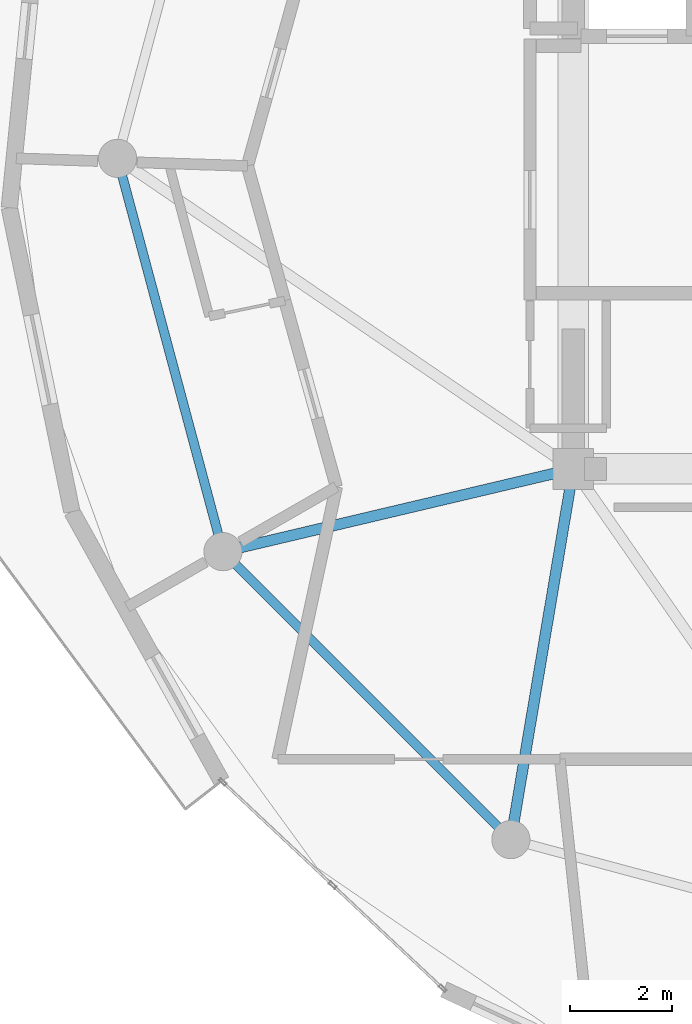
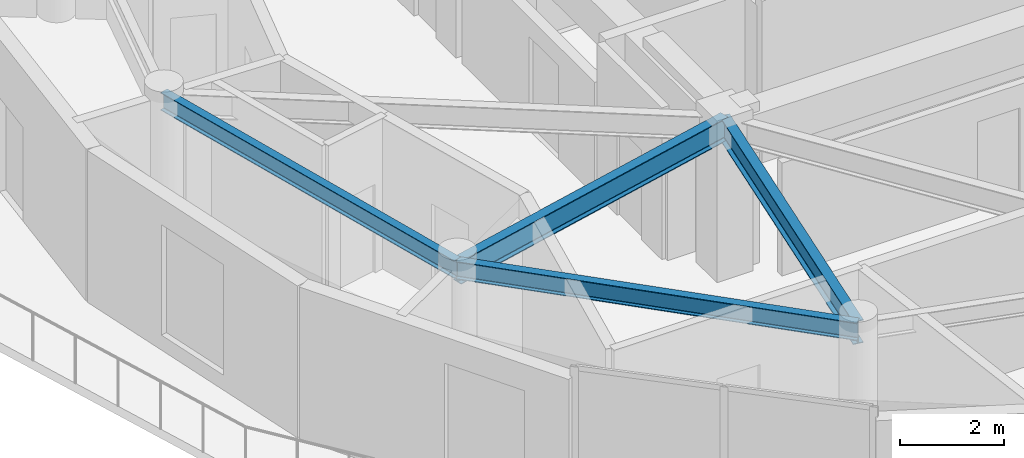
# One storey, part 3 of 15: 4 beams.
"""IFC4 building model written with IfcOpenShell, lengths in metres."""

from ifc_helpers import new_model, si_unit, direction, frame, origin, origin_2d, place, context, subcontext, project, spatial, i_section, extrude, material, material_profile, profile_set, type_object, element, save


model = new_model("IFC4")

# Units and contexts
model_context = context("Model", 3, precision=1e-05, world=origin(), true_north=direction((0.0, 1.0)))
body_context = subcontext(model_context, "Body", "Model", "MODEL_VIEW")
ifc_project = project(units=[si_unit("LENGTHUNIT", "METRE"), si_unit("AREAUNIT", "SQUARE_METRE"), si_unit("VOLUMEUNIT", "CUBIC_METRE"), si_unit("PLANEANGLEUNIT", "RADIAN"), si_unit("MASSUNIT", "GRAM", prefix="KILO")], contexts=[model_context])

# Site, building, storey
site_placement = place(None, origin())
site = spatial("IfcSite", under=ifc_project, at=site_placement, CompositionType="ELEMENT")
building_placement = place(site_placement, origin())
building = spatial("IfcBuilding", under=site, at=building_placement, Name="Solvirekh Grand Hotel", CompositionType="ELEMENT")
storey_placement = place(building_placement, frame((0.0, 0.0, 270.60009765625)))
storey = spatial("IfcBuildingStorey", under=building, at=storey_placement, Name="L70", CompositionType="ELEMENT", Elevation=270.60009765625)

# Beams
ifc_material = material(Name="Steel S355", Category="steel")
ifc_material_profile_1 = material_profile(ifc_material, i_section(OverallWidth=0.2119140625, OverallDepth=0.5439453125, WebThickness=0.011962890625, FlangeThickness=0.01904296875, FilletRadius=0.013916015625, at=origin_2d()), Name="W530X123")
ifc_profile_set_1 = profile_set([ifc_material_profile_1], Name="Steel S355")
beam_type_1 = type_object("IfcBeamType", Name="Beam_Radial_W530H", PredefinedType="BEAM", material=ifc_profile_set_1)
beam_1_placement = place(storey_placement, frame((-6.5, -6.10009765625, 3.2978515625), z_axis=(-0.973221147544, -0.229870828888, 0.0), x_axis=(0.229870828888, -0.973221147544, 0.0)))
element("IfcBeam", 1, at=beam_1_placement, inside=storey, type_object=beam_type_1, Name="L70 radial floor beam R08", PredefinedType="BEAM", context=body_context, shape_type="SweptSolid", body=[
    extrude(i_section(OverallWidth=0.2119140625, OverallDepth=0.5439453125, WebThickness=0.011962890625, FlangeThickness=0.01904296875, FilletRadius=0.013916015625, at=origin_2d()), origin(), (0.0, 0.0, 1.0), 7.069091796875),
])
beam_2_placement = place(storey_placement, frame((-6.5, -6.10009765625, 3.2978515625), z_axis=(-0.165954049106, -0.986133486697, 0.0), x_axis=(0.986133486697, -0.165954049106, 0.0)))
element("IfcBeam", 2, at=beam_2_placement, inside=storey, type_object=beam_type_1, Name="L70 radial floor beam R09", PredefinedType="BEAM", context=body_context, shape_type="SweptSolid", body=[
    extrude(i_section(OverallWidth=0.2119140625, OverallDepth=0.5439453125, WebThickness=0.011962890625, FlangeThickness=0.01904296875, FilletRadius=0.013916015625, at=origin_2d()), origin(), (0.0, 0.0, 1.0), 7.382080078125),
])
ifc_material_profile_2 = material_profile(ifc_material, i_section(OverallWidth=0.180908203125, OverallDepth=0.4169921875, WebThickness=0.010009765625, FlangeThickness=0.01611328125, FilletRadius=0.011962890625, at=origin_2d()), Name="W410X85")
ifc_profile_set_2 = profile_set([ifc_material_profile_2], Name="Steel S355")
beam_type_2 = type_object("IfcBeamType", Name="Spandrel_Ring_W410", PredefinedType="SPANDREL", material=ifc_profile_set_2)
beam_3_placement = place(storey_placement, frame((-15.449951171875, 0.0, 3.36181640625), z_axis=(0.258834757072, -0.965921616143, 0.0), x_axis=(0.965921616143, 0.258834757072, 0.0)))
element("IfcBeam", 3, at=beam_3_placement, inside=storey, type_object=beam_type_2, Name="L70 perimeter spandrel beam 7", PredefinedType="SPANDREL", context=body_context, shape_type="SweptSolid", body=[
    extrude(i_section(OverallWidth=0.180908203125, OverallDepth=0.4169921875, WebThickness=0.010009765625, FlangeThickness=0.01611328125, FilletRadius=0.011962890625, at=origin_2d()), origin(), (0.0, 0.0, 1.0), 7.99755859375),
])
beam_4_placement = place(storey_placement, frame((-13.3798828125, -7.72509765625, 3.36181640625), z_axis=(0.707106781187, -0.707106781187, 0.0), x_axis=(0.707106781187, 0.707106781187, 0.0)))
element("IfcBeam", 4, at=beam_4_placement, inside=storey, type_object=beam_type_2, Name="L70 perimeter spandrel beam 8", PredefinedType="SPANDREL", context=body_context, shape_type="SweptSolid", body=[
    extrude(i_section(OverallWidth=0.180908203125, OverallDepth=0.4169921875, WebThickness=0.010009765625, FlangeThickness=0.01611328125, FilletRadius=0.011962890625, at=origin_2d()), origin(), (0.0, 0.0, 1.0), 7.9970703125),
])

save(model, "model.ifc")
